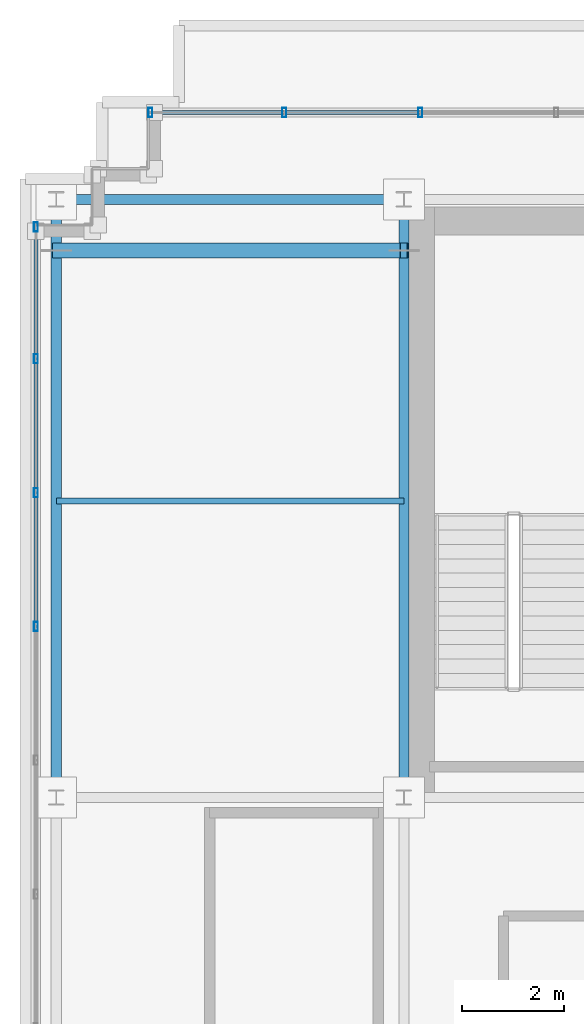
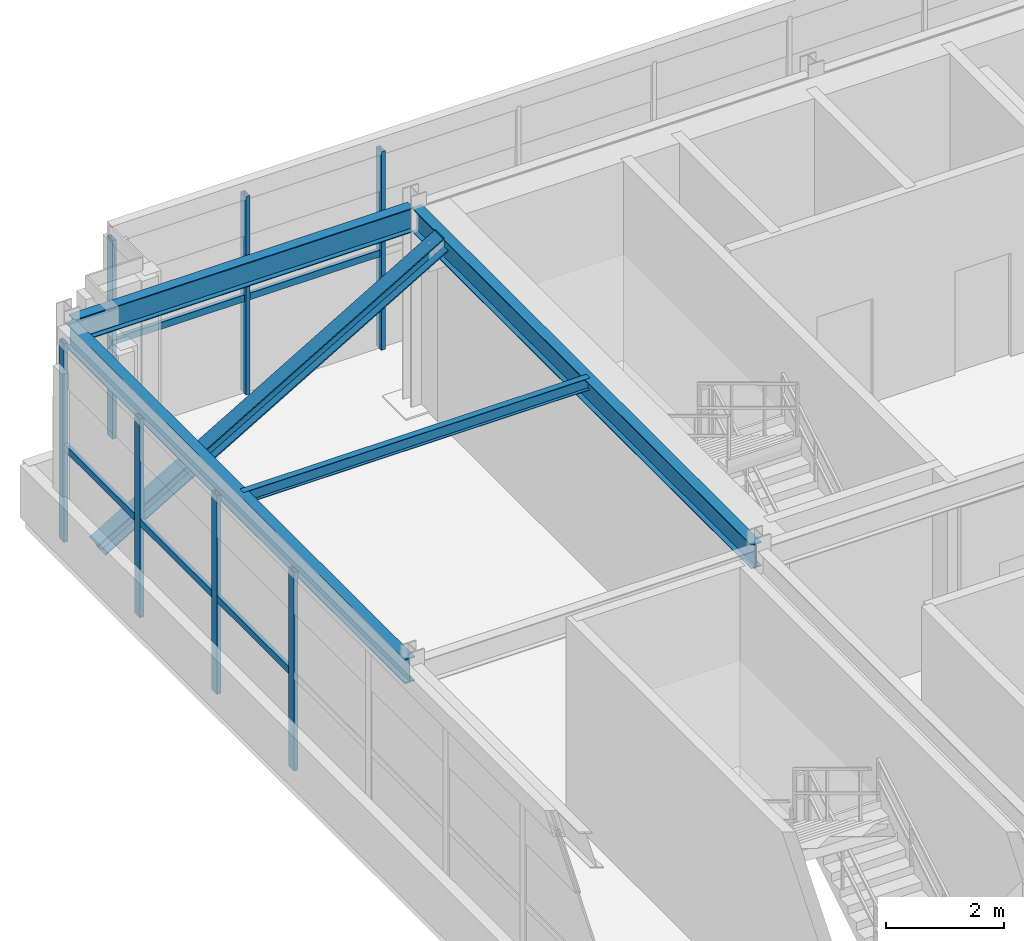
# One storey, part 17 of 38: 14 members, 3 beams, 2 elements without a shape of their own.
"""IFC4 building model written with IfcOpenShell, lengths in metres."""

from ifc_helpers import new_model, si_unit, direction, frame, origin, origin_2d, place, context, subcontext, project, spatial, hollow_rectangle, i_section, extrude, source, transform, mapped, material, material_profile, profile_set, type_object, element, aggregate, save


model = new_model("IFC4")

# Units and contexts
model_context = context("Model", 3, precision=1e-05, world=origin(), true_north=direction((0.0, 1.0)))
body_context = subcontext(model_context, "Body", "Model", "MODEL_VIEW")
ifc_project = project(units=[si_unit("LENGTHUNIT", "METRE"), si_unit("AREAUNIT", "SQUARE_METRE"), si_unit("VOLUMEUNIT", "CUBIC_METRE"), si_unit("PLANEANGLEUNIT", "RADIAN"), si_unit("MASSUNIT", "GRAM", prefix="KILO")], contexts=[model_context])

# Site, building, storey
site_placement = place(None, origin())
site = spatial("IfcSite", under=ifc_project, at=site_placement, CompositionType="ELEMENT")
building_placement = place(site_placement, origin())
building = spatial("IfcBuilding", under=site, at=building_placement, Name="Trelvane Seafront Commons", CompositionType="ELEMENT")
storey_placement = place(building_placement, frame((0.0, 0.0, 299.10009765625)))
storey = spatial("IfcBuildingStorey", under=building, at=storey_placement, Name="L78", CompositionType="ELEMENT", Elevation=299.10009765625)

# Beams
ifc_material_1 = material(Name="Steel SM355 (S355)", Category="steel")
ifc_material_profile_1 = material_profile(ifc_material_1, i_section(OverallWidth=0.199951171875, OverallDepth=0.5, WebThickness=0.010009765625, FlangeThickness=0.01611328125, at=origin_2d()), Name="H-500x200x10x16")
ifc_profile_set_1 = profile_set([ifc_material_profile_1], Name="Steel SM355 (S355)")
beam_type_1 = type_object("IfcBeamType", Name="STR-CROWN-FRAME-RING", PredefinedType="SPANDREL", material=ifc_profile_set_1)
shared_shape_1 = source(origin(), body_context, "Body", "SweptSolid", [
    extrude(i_section(OverallWidth=0.199951171875, OverallDepth=0.5, WebThickness=0.010009765625, FlangeThickness=0.01611328125, at=origin_2d()), origin(), (0.0, 0.0, 1.0), 6.64990234375),
])
beam_placement = place(storey_placement, frame((8.875, 45.10009765625, 3.869873046875), z_axis=(1.0, 0.0, 0.0), x_axis=(0.0, 1.0, 0.0)))
element("IfcBeam", 1, at=beam_placement, inside=storey, type_object=beam_type_1, Name="L78 CROWN FRAME Ring Beam G-15", PredefinedType="SPANDREL", context=body_context, shape_type="MappedRepresentation", body=[
    mapped(shared_shape_1, transform((0.0, 0.0, 0.0), x_axis=(1.0, 0.0, 0.0), y_axis=(0.0, 1.0, 0.0), z_axis=(0.0, 0.0, 1.0), scale=1.0)),
])
ifc_material_profile_2 = material_profile(ifc_material_1, i_section(OverallWidth=0.199951171875, OverallDepth=0.5, WebThickness=0.010009765625, FlangeThickness=0.01611328125, at=origin_2d()), Name="H-500x200x10x16")
ifc_profile_set_2 = profile_set([ifc_material_profile_2], Name="Steel SM355 (S355)")
beam_type_2 = type_object("IfcBeamType", Name="STR-BM-H500", PredefinedType="BEAM", material=ifc_profile_set_2)
shared_shape_2 = source(origin(), body_context, "Body", "SweptSolid", [
    extrude(i_section(OverallWidth=0.199951171875, OverallDepth=0.5, WebThickness=0.010009765625, FlangeThickness=0.01611328125, at=origin_2d()), origin(), (0.0, 0.0, 1.0), 11.5498046875),
])
for number, where, z_axis, x_axis, name in (
    (2, (8.800048828125, 33.47509765625, 3.869873046875), (0.0, 1.0, 0.0), (-1.0, 0.0, 0.0), "L78 Primary Girder G-23"),
    (3, (15.60009765625, 33.47509765625, 3.869873046875), (0.0, 1.0, 0.0), (-1.0, 0.0, 0.0), "L78 Primary Girder G-25"),
):
    element("IfcBeam", number, at=place(storey_placement, frame(where, z_axis=z_axis, x_axis=x_axis)), inside=storey, type_object=beam_type_2, Name=name, PredefinedType="BEAM", context=body_context, shape_type="MappedRepresentation", body=[
        mapped(shared_shape_2, transform((0.0, 0.0, 0.0), x_axis=(1.0, 0.0, 0.0), y_axis=(0.0, 1.0, 0.0), z_axis=(0.0, 0.0, 1.0), scale=1.0)),
    ])

# Members
ifc_material_profile_3 = material_profile(ifc_material_1, i_section(OverallWidth=0.125, OverallDepth=0.25, WebThickness=0.006103515625, FlangeThickness=0.009033203125, at=origin_2d()), Name="H-250x125x6x9")
ifc_profile_set_3 = profile_set([ifc_material_profile_3], Name="Steel SM355 (S355)")
member_type_1 = type_object("IfcMemberType", Name="STR-PUR-H250", PredefinedType="PURLIN", material=ifc_profile_set_3)
shared_shape_3 = source(origin(), body_context, "Body", "SweptSolid", [
    extrude(i_section(OverallWidth=0.125, OverallDepth=0.25, WebThickness=0.006103515625, FlangeThickness=0.009033203125, at=origin_2d()), origin(), (0.0, 0.0, 1.0), 6.800048828125),
])
member_1_placement = place(storey_placement, frame((8.800048828125, 39.199951171875, 3.994873046875), z_axis=(1.0, 0.0, 0.0), x_axis=(0.0, 1.0, 0.0)))
element("IfcMember", 4, at=member_1_placement, inside=storey, type_object=member_type_1, Name="L78 Crown Roof Purlin PR-2", PredefinedType="PURLIN", context=body_context, shape_type="MappedRepresentation", body=[
    mapped(shared_shape_3, transform((0.0, 0.0, 0.0), x_axis=(1.0, 0.0, 0.0), y_axis=(0.0, 1.0, 0.0), z_axis=(0.0, 0.0, 1.0), scale=1.0)),
])
ifc_material_profile_4 = material_profile(ifc_material_1, i_section(OverallWidth=0.300048828125, OverallDepth=0.300048828125, WebThickness=0.014892578125, FlangeThickness=0.02392578125, at=origin_2d()), Name="HD-300x300x15x24")
ifc_profile_set_4 = profile_set([ifc_material_profile_4], Name="Steel SM355 (S355)")
member_type_2 = type_object("IfcMemberType", Name="STR-CROWN-FRAME-BRC", PredefinedType="BRACE", material=ifc_profile_set_4)
shared_shape_4 = source(origin(), body_context, "Body", "SweptSolid", [
    extrude(i_section(OverallWidth=0.300048828125, OverallDepth=0.300048828125, WebThickness=0.014892578125, FlangeThickness=0.02392578125, at=origin_2d()), origin(), (0.0, 0.0, 1.0), 7.88916015625),
])
member_2_placement = place(storey_placement, frame((8.800048828125, 44.10009765625, 0.0), z_axis=(0.861935806202, 0.0, 0.507017421779), x_axis=(0.0, 1.0, 0.0)))
element("IfcMember", 5, at=member_2_placement, inside=storey, type_object=member_type_2, Name="L78 CROWN FRAME Diagonal Brace CW", PredefinedType="BRACE", context=body_context, shape_type="MappedRepresentation", body=[
    mapped(shared_shape_4, transform((0.0, 0.0, 0.0), x_axis=(1.0, 0.0, 0.0), y_axis=(0.0, 1.0, 0.0), z_axis=(0.0, 0.0, 1.0), scale=1.0)),
])

# Curtain wall, members
ifc_material_2 = material(Name="Anodised pale-silver aluminium", Category="aluminium")
curtain_wall_type = type_object("IfcCurtainWallType", Name="ARCH-CW6-CROWN", PredefinedType="NOTDEFINED", material=ifc_material_2)
curtain_wall_1_placement = place(storey_placement, origin())
curtain_wall_1 = element("IfcCurtainWall", 6, at=curtain_wall_1_placement, inside=storey, type_object=curtain_wall_type, Name="CW-L78-0124", PredefinedType="NOTDEFINED")
ifc_material_profile_5 = material_profile(ifc_material_2, hollow_rectangle(XDim=0.080078125, YDim=0.179931640625, WallThickness=0.00439453125, at=origin_2d()), Name="MULL-80x180x4.5")
ifc_profile_set_5 = profile_set([ifc_material_profile_5], Name="Anodised pale-silver aluminium")
member_type_3 = type_object("IfcMemberType", Name="ARCH-CW-MULL-180", PredefinedType="MULLION", material=ifc_profile_set_5)
shared_shape_5 = source(origin(), body_context, "Body", "SweptSolid", [
    extrude(hollow_rectangle(XDim=0.080078125, YDim=0.179931640625, WallThickness=0.00439453125, at=origin_2d()), origin(), (0.0, 0.0, 1.0), 4.119873046875),
])
member_3_placement = place(storey_placement, frame((8.39990234375, 36.74560546875, 0.0), z_axis=(0.0, 0.0, 1.0), x_axis=(1.0, 0.0, 0.0)))
member_3 = element("IfcMember", 7, at=member_3_placement, type_object=member_type_3, Name="CW-L78-0124-M08", PredefinedType="MULLION", context=body_context, shape_type="MappedRepresentation", body=[
    mapped(shared_shape_5, transform((0.0, 0.0, 0.0), x_axis=(1.0, 0.0, 0.0), y_axis=(0.0, 1.0, 0.0), z_axis=(0.0, 0.0, 1.0), scale=1.0)),
])
member_4_placement = place(storey_placement, frame((8.39990234375, 39.363525390625, 0.0), z_axis=(0.0, 0.0, 1.0), x_axis=(1.0, 0.0, 0.0)))
member_4 = element("IfcMember", 8, at=member_4_placement, type_object=member_type_3, Name="CW-L78-0124-M09", PredefinedType="MULLION", context=body_context, shape_type="MappedRepresentation", body=[
    mapped(shared_shape_5, transform((0.0, 0.0, 0.0), x_axis=(1.0, 0.0, 0.0), y_axis=(0.0, 1.0, 0.0), z_axis=(0.0, 0.0, 1.0), scale=1.0)),
])
member_5_placement = place(storey_placement, frame((8.39990234375, 41.981689453125, 0.0), z_axis=(0.0, 0.0, 1.0), x_axis=(1.0, 0.0, 0.0)))
member_5 = element("IfcMember", 9, at=member_5_placement, type_object=member_type_3, Name="CW-L78-0124-M10", PredefinedType="MULLION", context=body_context, shape_type="MappedRepresentation", body=[
    mapped(shared_shape_5, transform((0.0, 0.0, 0.0), x_axis=(1.0, 0.0, 0.0), y_axis=(0.0, 1.0, 0.0), z_axis=(0.0, 0.0, 1.0), scale=1.0)),
])
member_6_placement = place(storey_placement, frame((8.39990234375, 44.56005859375, 0.0), z_axis=(0.0, 0.0, 1.0), x_axis=(1.0, 0.0, 0.0)))
member_6 = element("IfcMember", 10, at=member_6_placement, type_object=member_type_3, Name="CW-L78-0124-M11", PredefinedType="MULLION", context=body_context, shape_type="MappedRepresentation", body=[
    mapped(shared_shape_5, transform((0.0, 0.0, 0.0), x_axis=(1.0, 0.0, 0.0), y_axis=(0.0, 1.0, 0.0), z_axis=(0.0, 0.0, 1.0), scale=1.0)),
])

curtain_wall_2_placement = place(storey_placement, origin())
curtain_wall_2 = element("IfcCurtainWall", 11, at=curtain_wall_2_placement, inside=storey, type_object=curtain_wall_type, Name="CW-L78-0125", PredefinedType="NOTDEFINED")
member_7_placement = place(storey_placement, frame((10.639892578125, 46.800048828125, 0.0), z_axis=(0.0, 0.0, 1.0), x_axis=(1.0, 0.0, 0.0)))
member_7 = element("IfcMember", 12, at=member_7_placement, type_object=member_type_3, Name="CW-L78-0125-M00", PredefinedType="MULLION", context=body_context, shape_type="MappedRepresentation", body=[
    mapped(shared_shape_5, transform((0.0, 0.0, 0.0), x_axis=(1.0, 0.0, 0.0), y_axis=(0.0, 1.0, 0.0), z_axis=(0.0, 0.0, 1.0), scale=1.0)),
])
member_8_placement = place(storey_placement, frame((13.260009765625, 46.800048828125, 0.0), z_axis=(0.0, 0.0, 1.0), x_axis=(1.0, 0.0, 0.0)))
member_8 = element("IfcMember", 13, at=member_8_placement, type_object=member_type_3, Name="CW-L78-0125-M01", PredefinedType="MULLION", context=body_context, shape_type="MappedRepresentation", body=[
    mapped(shared_shape_5, transform((0.0, 0.0, 0.0), x_axis=(1.0, 0.0, 0.0), y_axis=(0.0, 1.0, 0.0), z_axis=(0.0, 0.0, 1.0), scale=1.0)),
])
member_9_placement = place(storey_placement, frame((15.919921875, 46.800048828125, 0.0), z_axis=(0.0, 0.0, 1.0), x_axis=(1.0, 0.0, 0.0)))
member_9 = element("IfcMember", 14, at=member_9_placement, type_object=member_type_3, Name="CW-L78-0125-M02", PredefinedType="MULLION", context=body_context, shape_type="MappedRepresentation", body=[
    mapped(shared_shape_5, transform((0.0, 0.0, 0.0), x_axis=(1.0, 0.0, 0.0), y_axis=(0.0, 1.0, 0.0), z_axis=(0.0, 0.0, 1.0), scale=1.0)),
])

# Member
ifc_material_profile_6 = material_profile(ifc_material_2, hollow_rectangle(XDim=0.074951171875, YDim=0.139892578125, WallThickness=0.00390625, at=origin_2d()), Name="TRAN-75x140x4")
ifc_profile_set_6 = profile_set([ifc_material_profile_6], Name="Anodised pale-silver aluminium")
member_type_4 = type_object("IfcMemberType", Name="ARCH-CW-TRAN-140", PredefinedType="USERDEFINED", material=ifc_profile_set_6)
shared_shape_6 = source(origin(), body_context, "Body", "SweptSolid", [
    extrude(hollow_rectangle(XDim=0.074951171875, YDim=0.139892578125, WallThickness=0.00390625, at=origin_2d()), origin(), (0.0, 0.0, 1.0), 2.59423828125),
])
member_10_placement = place(storey_placement, frame((8.39990234375, 39.37548828125, 1.977783203125), z_axis=(0.0, 1.0, 0.0), x_axis=(-1.0, 0.0, 0.0)))
member_10 = element("IfcMember", 15, at=member_10_placement, type_object=member_type_4, Name="CW-L78-0124-T09", ObjectType="TRANSOM", PredefinedType="USERDEFINED", context=body_context, shape_type="MappedRepresentation", body=[
    mapped(shared_shape_6, transform((0.0, 0.0, 0.0), x_axis=(1.0, 0.0, 0.0), y_axis=(0.0, 1.0, 0.0), z_axis=(0.0, 0.0, 1.0), scale=1.0)),
])

shared_shape_7 = source(origin(), body_context, "Body", "SweptSolid", [
    extrude(hollow_rectangle(XDim=0.074951171875, YDim=0.139892578125, WallThickness=0.00390625, at=origin_2d()), origin(), (0.0, 0.0, 1.0), 2.593994140625),
])
member_11_placement = place(storey_placement, frame((8.39990234375, 36.757568359375, 1.977783203125), z_axis=(0.0, 1.0, 0.0), x_axis=(-1.0, 0.0, 0.0)))
member_11 = element("IfcMember", 16, at=member_11_placement, type_object=member_type_4, Name="CW-L78-0124-T08", ObjectType="TRANSOM", PredefinedType="USERDEFINED", context=body_context, shape_type="MappedRepresentation", body=[
    mapped(shared_shape_7, transform((0.0, 0.0, 0.0), x_axis=(1.0, 0.0, 0.0), y_axis=(0.0, 1.0, 0.0), z_axis=(0.0, 0.0, 1.0), scale=1.0)),
])

member_12_placement = place(storey_placement, frame((8.39990234375, 41.993896484375, 1.977783203125), z_axis=(0.0, 1.0, 0.0), x_axis=(-1.0, 0.0, 0.0)))
member_12 = element("IfcMember", 17, at=member_12_placement, type_object=member_type_4, Name="CW-L78-0124-T10", ObjectType="TRANSOM", PredefinedType="USERDEFINED", context=body_context, shape_type="MappedRepresentation", body=[
    mapped(shared_shape_7, transform((0.0, 0.0, 0.0), x_axis=(1.0, 0.0, 0.0), y_axis=(0.0, 1.0, 0.0), z_axis=(0.0, 0.0, 1.0), scale=1.0)),
])

aggregate(curtain_wall_1, [member_3, member_4, member_5, member_6, member_11, member_10, member_12])

shared_shape_8 = source(origin(), body_context, "Body", "SweptSolid", [
    extrude(hollow_rectangle(XDim=0.074951171875, YDim=0.139892578125, WallThickness=0.00390625, at=origin_2d()), origin(), (0.0, 0.0, 1.0), 2.635986328125),
])
member_13_placement = place(storey_placement, frame((10.612060546875, 46.800048828125, 1.977783203125), z_axis=(1.0, 0.0, 0.0), x_axis=(0.0, 1.0, 0.0)))
member_13 = element("IfcMember", 18, at=member_13_placement, type_object=member_type_4, Name="CW-L78-0125-T00", ObjectType="TRANSOM", PredefinedType="USERDEFINED", context=body_context, shape_type="MappedRepresentation", body=[
    mapped(shared_shape_8, transform((0.0, 0.0, 0.0), x_axis=(1.0, 0.0, 0.0), y_axis=(0.0, 1.0, 0.0), z_axis=(0.0, 0.0, 1.0), scale=1.0)),
])

member_14_placement = place(storey_placement, frame((13.27197265625, 46.800048828125, 1.977783203125), z_axis=(1.0, 0.0, 0.0), x_axis=(0.0, 1.0, 0.0)))
member_14 = element("IfcMember", 19, at=member_14_placement, type_object=member_type_4, Name="CW-L78-0125-T01", ObjectType="TRANSOM", PredefinedType="USERDEFINED", context=body_context, shape_type="MappedRepresentation", body=[
    mapped(shared_shape_8, transform((0.0, 0.0, 0.0), x_axis=(1.0, 0.0, 0.0), y_axis=(0.0, 1.0, 0.0), z_axis=(0.0, 0.0, 1.0), scale=1.0)),
])

aggregate(curtain_wall_2, [member_7, member_8, member_9, member_13, member_14])

save(model, "model.ifc")
